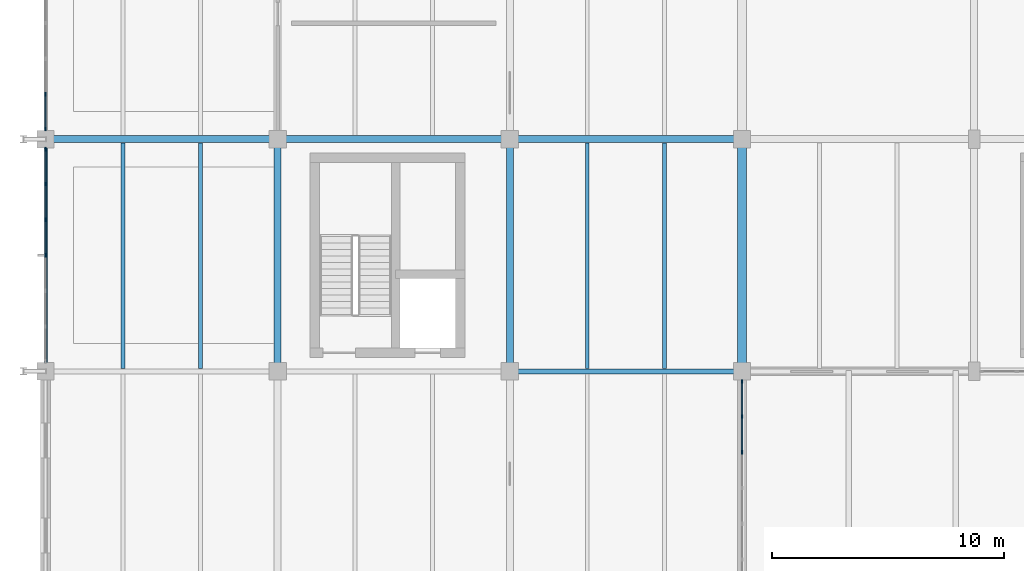
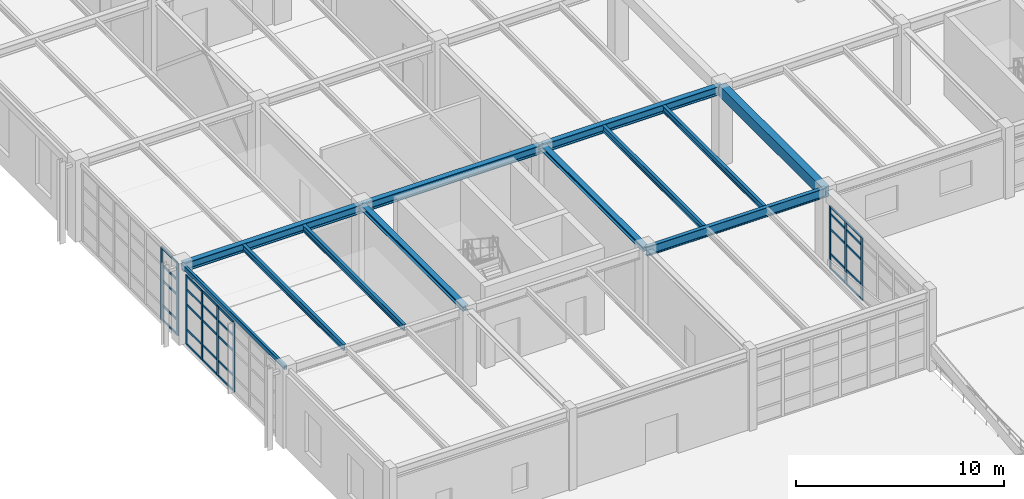
# One storey, part 27 of 139: 39 members, 12 beams, 3 elements without a shape of their own.
"""IFC4 building model written with IfcOpenShell, lengths in metres."""

from ifc_helpers import new_model, si_unit, direction, frame, origin, origin_2d, place, context, subcontext, project, spatial, rectangle, hollow_rectangle, i_section, extrude, material, layer, layer_set, material_profile, profile_set, type_object, element, aggregate, save


model = new_model("IFC4")

# Units and contexts
model_context = context("Model", 3, precision=1e-05, world=origin(), true_north=direction((0.0, 1.0)))
body_context = subcontext(model_context, "Body", "Model", "MODEL_VIEW")
ifc_project = project(units=[si_unit("LENGTHUNIT", "METRE"), si_unit("AREAUNIT", "SQUARE_METRE"), si_unit("VOLUMEUNIT", "CUBIC_METRE"), si_unit("PLANEANGLEUNIT", "RADIAN"), si_unit("MASSUNIT", "GRAM", prefix="KILO"), si_unit("THERMODYNAMICTEMPERATUREUNIT", "KELVIN"), si_unit("POWERUNIT", "WATT")], contexts=[model_context])

# Site, building, storey
site_placement = place(None, origin())
site = spatial("IfcSite", under=ifc_project, at=site_placement, CompositionType="ELEMENT")
building_placement = place(site_placement, origin())
building = spatial("IfcBuilding", under=site, at=building_placement, Name="Korenveer Ferry Terminal", CompositionType="ELEMENT")
storey_placement = place(building_placement, frame((0.0, 0.0, 5.39990234375)))
storey = spatial("IfcBuildingStorey", under=building, at=storey_placement, Name="L01", CompositionType="ELEMENT", Elevation=5.39990234375)

# Curtain wall, members
ifc_material_1 = material(Name="Unitised bronze-and-glass curtain wall", Category="glass")
ifc_layer_1 = layer(ifc_material_1, 0.159912109375)
ifc_layer_set_1 = layer_set([ifc_layer_1], Name="Unitised bronze-and-glass curtain wall")
curtain_wall_type_1 = type_object("IfcCurtainWallType", Name="ENV-CW-58", PredefinedType="USERDEFINED", material=ifc_layer_set_1)
curtain_wall_1_placement = place(storey_placement, frame((0.0, 20.405029296875, 0.0)))
curtain_wall_1 = element("IfcCurtainWall", 1, at=curtain_wall_1_placement, inside=storey, type_object=curtain_wall_type_1, Name="Lancet curtain wall CWX-L01-X0-0-Y20-30", ObjectType="UNITISED CURTAIN WALL", PredefinedType="USERDEFINED")
ifc_material_2 = material(Name="Anodised bronze aluminium", Category="aluminium")
ifc_material_profile_1 = material_profile(ifc_material_2, rectangle(XDim=0.06005859375, YDim=0.159912109375, at=origin_2d()), Name="ALU 60x160")
ifc_profile_set_1 = profile_set([ifc_material_profile_1], Name="Anodised bronze aluminium")
member_type_1 = type_object("IfcMemberType", Name="ENV-CWM-60X160", PredefinedType="MULLION", material=ifc_profile_set_1)
member_1_placement = place(storey_placement, frame((0.0, 25.0, 0.0), z_axis=(0.0, 0.0, 1.0), x_axis=(-1.0, 0.0, 0.0)))
member_1 = element("IfcMember", 2, at=member_1_placement, type_object=member_type_1, Name="CW-58 mullion 4", PredefinedType="MULLION", context=body_context, shape_type="SweptSolid", body=[
    extrude(rectangle(XDim=0.06005859375, YDim=0.159912109375, at=origin_2d()), origin(), (0.0, 0.0, 1.0), 4.070068359375),
])
member_2_placement = place(storey_placement, frame((0.0, 26.53173828125, 0.0), z_axis=(0.0, 0.0, 1.0), x_axis=(-1.0, 0.0, 0.0)))
member_2 = element("IfcMember", 3, at=member_2_placement, type_object=member_type_1, Name="CW-58 mullion 5", PredefinedType="MULLION", context=body_context, shape_type="SweptSolid", body=[
    extrude(rectangle(XDim=0.06005859375, YDim=0.159912109375, at=origin_2d()), origin(), (0.0, 0.0, 1.0), 4.070068359375),
])
member_3_placement = place(storey_placement, frame((0.0, 28.063232421875, 0.0), z_axis=(0.0, 0.0, 1.0), x_axis=(-1.0, 0.0, 0.0)))
member_3 = element("IfcMember", 4, at=member_3_placement, type_object=member_type_1, Name="CW-58 mullion 6", PredefinedType="MULLION", context=body_context, shape_type="SweptSolid", body=[
    extrude(rectangle(XDim=0.06005859375, YDim=0.159912109375, at=origin_2d()), origin(), (0.0, 0.0, 1.0), 4.070068359375),
])
member_4_placement = place(storey_placement, frame((0.0, 29.56494140625, 0.0), z_axis=(0.0, 0.0, 1.0), x_axis=(-1.0, 0.0, 0.0)))
member_4 = element("IfcMember", 5, at=member_4_placement, type_object=member_type_1, Name="CW-58 mullion 7", PredefinedType="MULLION", context=body_context, shape_type="SweptSolid", body=[
    extrude(rectangle(XDim=0.06005859375, YDim=0.159912109375, at=origin_2d()), origin(), (0.0, 0.0, 1.0), 4.070068359375),
])

ifc_layer_2 = layer(ifc_material_1, 0.159912109375)
ifc_layer_set_2 = layer_set([ifc_layer_2], Name="Unitised bronze-and-glass curtain wall")
curtain_wall_type_2 = type_object("IfcCurtainWallType", Name="ENV-CW-59", PredefinedType="USERDEFINED", material=ifc_layer_set_2)
curtain_wall_2_placement = place(storey_placement, frame((0.0, 30.405029296875, 0.0)))
curtain_wall_2 = element("IfcCurtainWall", 6, at=curtain_wall_2_placement, inside=storey, type_object=curtain_wall_type_2, Name="Lancet curtain wall CWX-L01-X0-0-Y30-40", ObjectType="UNITISED CURTAIN WALL", PredefinedType="USERDEFINED")
member_5_placement = place(storey_placement, frame((0.0, 30.43505859375, 0.0), z_axis=(0.0, 0.0, 1.0), x_axis=(-1.0, 0.0, 0.0)))
member_5 = element("IfcMember", 7, at=member_5_placement, type_object=member_type_1, Name="CW-59 mullion 1", PredefinedType="MULLION", context=body_context, shape_type="SweptSolid", body=[
    extrude(rectangle(XDim=0.06005859375, YDim=0.159912109375, at=origin_2d()), origin(), (0.0, 0.0, 1.0), 4.27001953125),
])
member_6_placement = place(storey_placement, frame((0.0, 31.936767578125, 0.0), z_axis=(0.0, 0.0, 1.0), x_axis=(-1.0, 0.0, 0.0)))
member_6 = element("IfcMember", 8, at=member_6_placement, type_object=member_type_1, Name="CW-59 mullion 2", PredefinedType="MULLION", context=body_context, shape_type="SweptSolid", body=[
    extrude(rectangle(XDim=0.06005859375, YDim=0.159912109375, at=origin_2d()), origin(), (0.0, 0.0, 1.0), 4.27001953125),
])

ifc_layer_3 = layer(ifc_material_1, 0.159912109375)
ifc_layer_set_3 = layer_set([ifc_layer_3], Name="Unitised bronze-and-glass curtain wall")
curtain_wall_type_3 = type_object("IfcCurtainWallType", Name="ENV-CW-62", PredefinedType="USERDEFINED", material=ifc_layer_set_3)
curtain_wall_3_placement = place(storey_placement, frame((30.0, 19.594970703125, 0.0)))
curtain_wall_3 = element("IfcCurtainWall", 9, at=curtain_wall_3_placement, inside=storey, type_object=curtain_wall_type_3, Name="Lancet curtain wall CWX-L01-X30-30-Y10-20", ObjectType="UNITISED CURTAIN WALL", PredefinedType="USERDEFINED")
member_7_placement = place(storey_placement, frame((30.0, 19.56494140625, 0.0), z_axis=(0.0, 0.0, 1.0), x_axis=(1.0, 0.0, 0.0)))
member_7 = element("IfcMember", 10, at=member_7_placement, type_object=member_type_1, Name="CW-62 mullion 1", PredefinedType="MULLION", context=body_context, shape_type="SweptSolid", body=[
    extrude(rectangle(XDim=0.06005859375, YDim=0.159912109375, at=origin_2d()), origin(), (0.0, 0.0, 1.0), 3.7001953125),
])
member_8_placement = place(storey_placement, frame((30.0, 18.054931640625, 0.0), z_axis=(0.0, 0.0, 1.0), x_axis=(1.0, 0.0, 0.0)))
member_8 = element("IfcMember", 11, at=member_8_placement, type_object=member_type_1, Name="CW-62 mullion 2", PredefinedType="MULLION", context=body_context, shape_type="SweptSolid", body=[
    extrude(rectangle(XDim=0.06005859375, YDim=0.159912109375, at=origin_2d()), origin(), (0.0, 0.0, 1.0), 3.7001953125),
])
member_9_placement = place(storey_placement, frame((30.0, 16.514892578125, 0.0), z_axis=(0.0, 0.0, 1.0), x_axis=(1.0, 0.0, 0.0)))
member_9 = element("IfcMember", 12, at=member_9_placement, type_object=member_type_1, Name="CW-62 mullion 3", PredefinedType="MULLION", context=body_context, shape_type="SweptSolid", body=[
    extrude(rectangle(XDim=0.06005859375, YDim=0.159912109375, at=origin_2d()), origin(), (0.0, 0.0, 1.0), 3.7001953125),
])

# Member
ifc_material_profile_2 = material_profile(ifc_material_2, rectangle(XDim=0.06005859375, YDim=0.1201171875, at=origin_2d()), Name="ALU 60x120")
ifc_profile_set_2 = profile_set([ifc_material_profile_2], Name="Anodised bronze aluminium")
member_type_2 = type_object("IfcMemberType", Name="ENV-CWT-60X120", PredefinedType="USERDEFINED", material=ifc_profile_set_2)
member_10_placement = place(storey_placement, frame((0.0, 25.030029296875, 0.030029296875), z_axis=(0.0, 1.0, 0.0), x_axis=(-1.0, 0.0, 0.0)))
member_10 = element("IfcMember", 13, at=member_10_placement, type_object=member_type_2, Name="CW-58 transom 4.1", ObjectType="TRANSOM", PredefinedType="USERDEFINED", context=body_context, shape_type="SweptSolid", body=[
    extrude(rectangle(XDim=0.06005859375, YDim=0.1201171875, at=origin_2d()), origin(), (0.0, 0.0, 1.0), 1.4716796875),
])

member_11_placement = place(storey_placement, frame((0.0, 25.030029296875, 0.900146484375), z_axis=(0.0, 1.0, 0.0), x_axis=(-1.0, 0.0, 0.0)))
member_11 = element("IfcMember", 14, at=member_11_placement, type_object=member_type_2, Name="CW-58 transom 4.2", ObjectType="TRANSOM", PredefinedType="USERDEFINED", context=body_context, shape_type="SweptSolid", body=[
    extrude(rectangle(XDim=0.06005859375, YDim=0.1201171875, at=origin_2d()), origin(), (0.0, 0.0, 1.0), 1.4716796875),
])

member_12_placement = place(storey_placement, frame((0.0, 25.030029296875, 2.35009765625), z_axis=(0.0, 1.0, 0.0), x_axis=(-1.0, 0.0, 0.0)))
member_12 = element("IfcMember", 15, at=member_12_placement, type_object=member_type_2, Name="CW-58 transom 4.3", ObjectType="TRANSOM", PredefinedType="USERDEFINED", context=body_context, shape_type="SweptSolid", body=[
    extrude(rectangle(XDim=0.06005859375, YDim=0.1201171875, at=origin_2d()), origin(), (0.0, 0.0, 1.0), 1.4716796875),
])

member_13_placement = place(storey_placement, frame((0.0, 25.030029296875, 3.25), z_axis=(0.0, 1.0, 0.0), x_axis=(-1.0, 0.0, 0.0)))
member_13 = element("IfcMember", 16, at=member_13_placement, type_object=member_type_2, Name="CW-58 transom 4.4", ObjectType="TRANSOM", PredefinedType="USERDEFINED", context=body_context, shape_type="SweptSolid", body=[
    extrude(rectangle(XDim=0.06005859375, YDim=0.1201171875, at=origin_2d()), origin(), (0.0, 0.0, 1.0), 1.4716796875),
])

member_14_placement = place(storey_placement, frame((0.0, 25.030029296875, 4.0400390625), z_axis=(0.0, 1.0, 0.0), x_axis=(-1.0, 0.0, 0.0)))
member_14 = element("IfcMember", 17, at=member_14_placement, type_object=member_type_2, Name="CW-58 transom 4.5", ObjectType="TRANSOM", PredefinedType="USERDEFINED", context=body_context, shape_type="SweptSolid", body=[
    extrude(rectangle(XDim=0.06005859375, YDim=0.1201171875, at=origin_2d()), origin(), (0.0, 0.0, 1.0), 1.4716796875),
])

member_15_placement = place(storey_placement, frame((0.0, 26.561767578125, 0.030029296875), z_axis=(0.0, 1.0, 0.0), x_axis=(-1.0, 0.0, 0.0)))
member_15 = element("IfcMember", 18, at=member_15_placement, type_object=member_type_2, Name="CW-58 transom 5.1", ObjectType="TRANSOM", PredefinedType="USERDEFINED", context=body_context, shape_type="SweptSolid", body=[
    extrude(rectangle(XDim=0.06005859375, YDim=0.1201171875, at=origin_2d()), origin(), (0.0, 0.0, 1.0), 1.4716796875),
])

member_16_placement = place(storey_placement, frame((0.0, 26.561767578125, 0.900146484375), z_axis=(0.0, 1.0, 0.0), x_axis=(-1.0, 0.0, 0.0)))
member_16 = element("IfcMember", 19, at=member_16_placement, type_object=member_type_2, Name="CW-58 transom 5.2", ObjectType="TRANSOM", PredefinedType="USERDEFINED", context=body_context, shape_type="SweptSolid", body=[
    extrude(rectangle(XDim=0.06005859375, YDim=0.1201171875, at=origin_2d()), origin(), (0.0, 0.0, 1.0), 1.4716796875),
])

member_17_placement = place(storey_placement, frame((0.0, 26.561767578125, 2.35009765625), z_axis=(0.0, 1.0, 0.0), x_axis=(-1.0, 0.0, 0.0)))
member_17 = element("IfcMember", 20, at=member_17_placement, type_object=member_type_2, Name="CW-58 transom 5.3", ObjectType="TRANSOM", PredefinedType="USERDEFINED", context=body_context, shape_type="SweptSolid", body=[
    extrude(rectangle(XDim=0.06005859375, YDim=0.1201171875, at=origin_2d()), origin(), (0.0, 0.0, 1.0), 1.4716796875),
])

member_18_placement = place(storey_placement, frame((0.0, 26.561767578125, 3.25), z_axis=(0.0, 1.0, 0.0), x_axis=(-1.0, 0.0, 0.0)))
member_18 = element("IfcMember", 21, at=member_18_placement, type_object=member_type_2, Name="CW-58 transom 5.4", ObjectType="TRANSOM", PredefinedType="USERDEFINED", context=body_context, shape_type="SweptSolid", body=[
    extrude(rectangle(XDim=0.06005859375, YDim=0.1201171875, at=origin_2d()), origin(), (0.0, 0.0, 1.0), 1.4716796875),
])

member_19_placement = place(storey_placement, frame((0.0, 26.561767578125, 4.0400390625), z_axis=(0.0, 1.0, 0.0), x_axis=(-1.0, 0.0, 0.0)))
member_19 = element("IfcMember", 22, at=member_19_placement, type_object=member_type_2, Name="CW-58 transom 5.5", ObjectType="TRANSOM", PredefinedType="USERDEFINED", context=body_context, shape_type="SweptSolid", body=[
    extrude(rectangle(XDim=0.06005859375, YDim=0.1201171875, at=origin_2d()), origin(), (0.0, 0.0, 1.0), 1.4716796875),
])

member_20_placement = place(storey_placement, frame((0.0, 28.09326171875, 0.030029296875), z_axis=(0.0, 1.0, 0.0), x_axis=(-1.0, 0.0, 0.0)))
member_20 = element("IfcMember", 23, at=member_20_placement, type_object=member_type_2, Name="CW-58 transom 6.1", ObjectType="TRANSOM", PredefinedType="USERDEFINED", context=body_context, shape_type="SweptSolid", body=[
    extrude(rectangle(XDim=0.06005859375, YDim=0.1201171875, at=origin_2d()), origin(), (0.0, 0.0, 1.0), 1.441650390625),
])

member_21_placement = place(storey_placement, frame((0.0, 28.09326171875, 0.900146484375), z_axis=(0.0, 1.0, 0.0), x_axis=(-1.0, 0.0, 0.0)))
member_21 = element("IfcMember", 24, at=member_21_placement, type_object=member_type_2, Name="CW-58 transom 6.2", ObjectType="TRANSOM", PredefinedType="USERDEFINED", context=body_context, shape_type="SweptSolid", body=[
    extrude(rectangle(XDim=0.06005859375, YDim=0.1201171875, at=origin_2d()), origin(), (0.0, 0.0, 1.0), 1.441650390625),
])

member_22_placement = place(storey_placement, frame((0.0, 28.09326171875, 2.35009765625), z_axis=(0.0, 1.0, 0.0), x_axis=(-1.0, 0.0, 0.0)))
member_22 = element("IfcMember", 25, at=member_22_placement, type_object=member_type_2, Name="CW-58 transom 6.3", ObjectType="TRANSOM", PredefinedType="USERDEFINED", context=body_context, shape_type="SweptSolid", body=[
    extrude(rectangle(XDim=0.06005859375, YDim=0.1201171875, at=origin_2d()), origin(), (0.0, 0.0, 1.0), 1.441650390625),
])

member_23_placement = place(storey_placement, frame((0.0, 28.09326171875, 3.25), z_axis=(0.0, 1.0, 0.0), x_axis=(-1.0, 0.0, 0.0)))
member_23 = element("IfcMember", 26, at=member_23_placement, type_object=member_type_2, Name="CW-58 transom 6.4", ObjectType="TRANSOM", PredefinedType="USERDEFINED", context=body_context, shape_type="SweptSolid", body=[
    extrude(rectangle(XDim=0.06005859375, YDim=0.1201171875, at=origin_2d()), origin(), (0.0, 0.0, 1.0), 1.441650390625),
])

member_24_placement = place(storey_placement, frame((0.0, 28.09326171875, 4.0400390625), z_axis=(0.0, 1.0, 0.0), x_axis=(-1.0, 0.0, 0.0)))
member_24 = element("IfcMember", 27, at=member_24_placement, type_object=member_type_2, Name="CW-58 transom 6.5", ObjectType="TRANSOM", PredefinedType="USERDEFINED", context=body_context, shape_type="SweptSolid", body=[
    extrude(rectangle(XDim=0.06005859375, YDim=0.1201171875, at=origin_2d()), origin(), (0.0, 0.0, 1.0), 1.441650390625),
])

aggregate(curtain_wall_1, [member_1, member_2, member_3, member_4, member_10, member_11, member_12, member_13, member_14, member_15, member_16, member_17, member_18, member_19, member_20, member_21, member_22, member_23, member_24])

member_25_placement = place(storey_placement, frame((0.0, 30.465087890625, 0.030029296875), z_axis=(0.0, 1.0, 0.0), x_axis=(-1.0, 0.0, 0.0)))
member_25 = element("IfcMember", 28, at=member_25_placement, type_object=member_type_2, Name="CW-59 transom 1.1", ObjectType="TRANSOM", PredefinedType="USERDEFINED", context=body_context, shape_type="SweptSolid", body=[
    extrude(rectangle(XDim=0.06005859375, YDim=0.1201171875, at=origin_2d()), origin(), (0.0, 0.0, 1.0), 1.441650390625),
])

member_26_placement = place(storey_placement, frame((0.0, 30.465087890625, 0.900146484375), z_axis=(0.0, 1.0, 0.0), x_axis=(-1.0, 0.0, 0.0)))
member_26 = element("IfcMember", 29, at=member_26_placement, type_object=member_type_2, Name="CW-59 transom 1.2", ObjectType="TRANSOM", PredefinedType="USERDEFINED", context=body_context, shape_type="SweptSolid", body=[
    extrude(rectangle(XDim=0.06005859375, YDim=0.1201171875, at=origin_2d()), origin(), (0.0, 0.0, 1.0), 1.441650390625),
])

member_27_placement = place(storey_placement, frame((0.0, 30.465087890625, 2.35009765625), z_axis=(0.0, 1.0, 0.0), x_axis=(-1.0, 0.0, 0.0)))
member_27 = element("IfcMember", 30, at=member_27_placement, type_object=member_type_2, Name="CW-59 transom 1.3", ObjectType="TRANSOM", PredefinedType="USERDEFINED", context=body_context, shape_type="SweptSolid", body=[
    extrude(rectangle(XDim=0.06005859375, YDim=0.1201171875, at=origin_2d()), origin(), (0.0, 0.0, 1.0), 1.441650390625),
])

member_28_placement = place(storey_placement, frame((0.0, 30.465087890625, 3.25), z_axis=(0.0, 1.0, 0.0), x_axis=(-1.0, 0.0, 0.0)))
member_28 = element("IfcMember", 31, at=member_28_placement, type_object=member_type_2, Name="CW-59 transom 1.4", ObjectType="TRANSOM", PredefinedType="USERDEFINED", context=body_context, shape_type="SweptSolid", body=[
    extrude(rectangle(XDim=0.06005859375, YDim=0.1201171875, at=origin_2d()), origin(), (0.0, 0.0, 1.0), 1.441650390625),
])

member_29_placement = place(storey_placement, frame((0.0, 30.465087890625, 4.239990234375), z_axis=(0.0, 1.0, 0.0), x_axis=(-1.0, 0.0, 0.0)))
member_29 = element("IfcMember", 32, at=member_29_placement, type_object=member_type_2, Name="CW-59 transom 1.5", ObjectType="TRANSOM", PredefinedType="USERDEFINED", context=body_context, shape_type="SweptSolid", body=[
    extrude(rectangle(XDim=0.06005859375, YDim=0.1201171875, at=origin_2d()), origin(), (0.0, 0.0, 1.0), 1.441650390625),
])

aggregate(curtain_wall_2, [member_5, member_6, member_25, member_26, member_27, member_28, member_29])

member_30_placement = place(storey_placement, frame((30.0, 19.534912109375, 0.030029296875), z_axis=(0.0, -1.0, 0.0), x_axis=(1.0, 0.0, 0.0)))
member_30 = element("IfcMember", 33, at=member_30_placement, type_object=member_type_2, Name="CW-62 transom 1.1", ObjectType="TRANSOM", PredefinedType="USERDEFINED", context=body_context, shape_type="SweptSolid", body=[
    extrude(rectangle(XDim=0.06005859375, YDim=0.1201171875, at=origin_2d()), origin(), (0.0, 0.0, 1.0), 1.449951171875),
])

member_31_placement = place(storey_placement, frame((30.0, 19.534912109375, 0.900146484375), z_axis=(0.0, -1.0, 0.0), x_axis=(1.0, 0.0, 0.0)))
member_31 = element("IfcMember", 34, at=member_31_placement, type_object=member_type_2, Name="CW-62 transom 1.2", ObjectType="TRANSOM", PredefinedType="USERDEFINED", context=body_context, shape_type="SweptSolid", body=[
    extrude(rectangle(XDim=0.06005859375, YDim=0.1201171875, at=origin_2d()), origin(), (0.0, 0.0, 1.0), 1.449951171875),
])

member_32_placement = place(storey_placement, frame((30.0, 19.534912109375, 2.35009765625), z_axis=(0.0, -1.0, 0.0), x_axis=(1.0, 0.0, 0.0)))
member_32 = element("IfcMember", 35, at=member_32_placement, type_object=member_type_2, Name="CW-62 transom 1.3", ObjectType="TRANSOM", PredefinedType="USERDEFINED", context=body_context, shape_type="SweptSolid", body=[
    extrude(rectangle(XDim=0.06005859375, YDim=0.1201171875, at=origin_2d()), origin(), (0.0, 0.0, 1.0), 1.449951171875),
])

member_33_placement = place(storey_placement, frame((30.0, 19.534912109375, 3.25), z_axis=(0.0, -1.0, 0.0), x_axis=(1.0, 0.0, 0.0)))
member_33 = element("IfcMember", 36, at=member_33_placement, type_object=member_type_2, Name="CW-62 transom 1.4", ObjectType="TRANSOM", PredefinedType="USERDEFINED", context=body_context, shape_type="SweptSolid", body=[
    extrude(rectangle(XDim=0.06005859375, YDim=0.1201171875, at=origin_2d()), origin(), (0.0, 0.0, 1.0), 1.449951171875),
])

member_34_placement = place(storey_placement, frame((30.0, 19.534912109375, 3.670166015625), z_axis=(0.0, -1.0, 0.0), x_axis=(1.0, 0.0, 0.0)))
member_34 = element("IfcMember", 37, at=member_34_placement, type_object=member_type_2, Name="CW-62 transom 1.5", ObjectType="TRANSOM", PredefinedType="USERDEFINED", context=body_context, shape_type="SweptSolid", body=[
    extrude(rectangle(XDim=0.06005859375, YDim=0.1201171875, at=origin_2d()), origin(), (0.0, 0.0, 1.0), 1.449951171875),
])

member_35_placement = place(storey_placement, frame((30.0, 18.02490234375, 0.030029296875), z_axis=(0.0, -1.0, 0.0), x_axis=(1.0, 0.0, 0.0)))
member_35 = element("IfcMember", 38, at=member_35_placement, type_object=member_type_2, Name="CW-62 transom 2.1", ObjectType="TRANSOM", PredefinedType="USERDEFINED", context=body_context, shape_type="SweptSolid", body=[
    extrude(rectangle(XDim=0.06005859375, YDim=0.1201171875, at=origin_2d()), origin(), (0.0, 0.0, 1.0), 1.47998046875),
])

member_36_placement = place(storey_placement, frame((30.0, 18.02490234375, 0.900146484375), z_axis=(0.0, -1.0, 0.0), x_axis=(1.0, 0.0, 0.0)))
member_36 = element("IfcMember", 39, at=member_36_placement, type_object=member_type_2, Name="CW-62 transom 2.2", ObjectType="TRANSOM", PredefinedType="USERDEFINED", context=body_context, shape_type="SweptSolid", body=[
    extrude(rectangle(XDim=0.06005859375, YDim=0.1201171875, at=origin_2d()), origin(), (0.0, 0.0, 1.0), 1.47998046875),
])

member_37_placement = place(storey_placement, frame((30.0, 18.02490234375, 2.35009765625), z_axis=(0.0, -1.0, 0.0), x_axis=(1.0, 0.0, 0.0)))
member_37 = element("IfcMember", 40, at=member_37_placement, type_object=member_type_2, Name="CW-62 transom 2.3", ObjectType="TRANSOM", PredefinedType="USERDEFINED", context=body_context, shape_type="SweptSolid", body=[
    extrude(rectangle(XDim=0.06005859375, YDim=0.1201171875, at=origin_2d()), origin(), (0.0, 0.0, 1.0), 1.47998046875),
])

member_38_placement = place(storey_placement, frame((30.0, 18.02490234375, 3.25), z_axis=(0.0, -1.0, 0.0), x_axis=(1.0, 0.0, 0.0)))
member_38 = element("IfcMember", 41, at=member_38_placement, type_object=member_type_2, Name="CW-62 transom 2.4", ObjectType="TRANSOM", PredefinedType="USERDEFINED", context=body_context, shape_type="SweptSolid", body=[
    extrude(rectangle(XDim=0.06005859375, YDim=0.1201171875, at=origin_2d()), origin(), (0.0, 0.0, 1.0), 1.47998046875),
])

member_39_placement = place(storey_placement, frame((30.0, 18.02490234375, 3.670166015625), z_axis=(0.0, -1.0, 0.0), x_axis=(1.0, 0.0, 0.0)))
member_39 = element("IfcMember", 42, at=member_39_placement, type_object=member_type_2, Name="CW-62 transom 2.5", ObjectType="TRANSOM", PredefinedType="USERDEFINED", context=body_context, shape_type="SweptSolid", body=[
    extrude(rectangle(XDim=0.06005859375, YDim=0.1201171875, at=origin_2d()), origin(), (0.0, 0.0, 1.0), 1.47998046875),
])

aggregate(curtain_wall_3, [member_7, member_8, member_9, member_30, member_31, member_32, member_33, member_34, member_35, member_36, member_37, member_38, member_39])

# Beams
ifc_material_3 = material(Name="Steel S355", Category="steel")
ifc_material_profile_3 = material_profile(ifc_material_3, i_section(OverallWidth=0.300048828125, OverallDepth=0.2900390625, WebThickness=0.008544921875, FlangeThickness=0.013916015625, FilletRadius=0.027099609375, at=origin_2d()), Name="HEA 300")
ifc_profile_set_3 = profile_set([ifc_material_profile_3], Name="Steel S355")
beam_type_1 = type_object("IfcBeamType", Name="STR-BM-HEA300", PredefinedType="BEAM", material=ifc_profile_set_3)
for number, where, z_axis, x_axis, name in (
    (43, (10.0, 20.02001953125, 4.405029296875), (0.0, 1.0, 0.0), (-1.0, 0.0, 0.0), "Primary Y girder BMY-L02-X10-Y20-30"),
    (44, (20.0, 20.02001953125, 4.405029296875), (0.0, 1.0, 0.0), (-1.0, 0.0, 0.0), "Primary Y girder BMY-L02-X20-Y20-30"),
):
    element("IfcBeam", number, at=place(storey_placement, frame(where, z_axis=z_axis, x_axis=x_axis)), inside=storey, type_object=beam_type_1, Name=name, PredefinedType="BEAM", context=body_context, shape_type="SweptSolid", body=[
        extrude(i_section(OverallWidth=0.300048828125, OverallDepth=0.2900390625, WebThickness=0.008544921875, FlangeThickness=0.013916015625, FilletRadius=0.027099609375, at=origin_2d()), origin(), (0.0, 0.0, 1.0), 9.9599609375),
    ])
ifc_material_profile_4 = material_profile(ifc_material_3, i_section(OverallWidth=0.300048828125, OverallDepth=0.5, WebThickness=0.014404296875, FlangeThickness=0.028076171875, FilletRadius=0.027099609375, at=origin_2d()), Name="HEB 500")
ifc_profile_set_4 = profile_set([ifc_material_profile_4], Name="Steel S355")
beam_type_2 = type_object("IfcBeamType", Name="STR-BM-HEB500", PredefinedType="BEAM", material=ifc_profile_set_4)
for number, where, z_axis, x_axis, name in (
    (45, (0.02001953125, 30.0, 4.300048828125), (1.0, 0.0, 0.0), (0.0, 1.0, 0.0), "Primary X girder BMX-L02-X0-10-Y30"),
    (46, (10.02001953125, 30.0, 4.300048828125), (1.0, 0.0, 0.0), (0.0, 1.0, 0.0), "Primary X girder BMX-L02-X10-20-Y30"),
    (47, (20.02001953125, 30.0, 4.300048828125), (1.0, 0.0, 0.0), (0.0, 1.0, 0.0), "Primary X girder BMX-L02-X20-30-Y30"),
):
    element("IfcBeam", number, at=place(storey_placement, frame(where, z_axis=z_axis, x_axis=x_axis)), inside=storey, type_object=beam_type_2, Name=name, PredefinedType="BEAM", context=body_context, shape_type="SweptSolid", body=[
        extrude(i_section(OverallWidth=0.300048828125, OverallDepth=0.5, WebThickness=0.014404296875, FlangeThickness=0.028076171875, FilletRadius=0.027099609375, at=origin_2d()), origin(), (0.0, 0.0, 1.0), 9.9599609375),
    ])
ifc_material_profile_5 = material_profile(ifc_material_3, i_section(OverallWidth=0.2099609375, OverallDepth=0.550048828125, WebThickness=0.010986328125, FlangeThickness=0.01708984375, FilletRadius=0.02392578125, at=origin_2d()), Name="IPE 550")
ifc_profile_set_5 = profile_set([ifc_material_profile_5], Name="Steel S355")
beam_type_3 = type_object("IfcBeamType", Name="STR-BM-IPE550", PredefinedType="BEAM", material=ifc_profile_set_5)
beam_1_placement = place(storey_placement, frame((20.02001953125, 20.0, 4.275146484375), z_axis=(1.0, 0.0, 0.0), x_axis=(0.0, 1.0, 0.0)))
element("IfcBeam", 48, at=beam_1_placement, inside=storey, type_object=beam_type_3, Name="Primary X girder BMX-L02-X20-30-Y20", PredefinedType="BEAM", context=body_context, shape_type="SweptSolid", body=[
    extrude(i_section(OverallWidth=0.2099609375, OverallDepth=0.550048828125, WebThickness=0.010986328125, FlangeThickness=0.01708984375, FilletRadius=0.02392578125, at=origin_2d()), origin(), (0.0, 0.0, 1.0), 9.9599609375),
])
ifc_material_4 = material(Name="Concrete C40/50", Category="concrete")
ifc_material_profile_6 = material_profile(ifc_material_4, rectangle(XDim=0.39990234375, YDim=0.64990234375, at=origin_2d()), Name="RC 400x650")
ifc_profile_set_6 = profile_set([ifc_material_profile_6], Name="Concrete C40/50")
beam_type_4 = type_object("IfcBeamType", Name="STR-BM-RC400X650", PredefinedType="BEAM", material=ifc_profile_set_6)
beam_2_placement = place(storey_placement, frame((30.0, 20.02001953125, 4.22509765625), z_axis=(0.0, 1.0, 0.0), x_axis=(-1.0, 0.0, 0.0)))
element("IfcBeam", 49, at=beam_2_placement, inside=storey, type_object=beam_type_4, Name="Primary Y girder BMY-L02-X30-Y20-30", PredefinedType="BEAM", context=body_context, shape_type="SweptSolid", body=[
    extrude(rectangle(XDim=0.39990234375, YDim=0.64990234375, at=origin_2d()), origin(), (0.0, 0.0, 1.0), 9.9599609375),
])
ifc_material_profile_7 = material_profile(ifc_material_3, i_section(OverallWidth=0.169921875, OverallDepth=0.360107421875, WebThickness=0.008056640625, FlangeThickness=0.0126953125, FilletRadius=0.01806640625, at=origin_2d()), Name="IPE 360")
ifc_profile_set_7 = profile_set([ifc_material_profile_7], Name="Steel S355")
beam_type_5 = type_object("IfcBeamType", Name="STR-JST-IPE360", PredefinedType="JOIST", material=ifc_profile_set_7)
for number, where, z_axis, x_axis, name in (
    (50, (3.333251953125, 20.114990234375, 4.3701171875), (0.0, 1.0, 0.0), (-1.0, 0.0, 0.0), "Secondary composite joist JST-L02-X33-Y20-30"),
    (51, (6.666748046875, 20.114990234375, 4.3701171875), (0.0, 1.0, 0.0), (-1.0, 0.0, 0.0), "Secondary composite joist JST-L02-X67-Y20-30"),
    (52, (23.333251953125, 20.114990234375, 4.3701171875), (0.0, 1.0, 0.0), (-1.0, 0.0, 0.0), "Secondary composite joist JST-L02-X233-Y20-30"),
    (53, (26.666748046875, 20.114990234375, 4.3701171875), (0.0, 1.0, 0.0), (-1.0, 0.0, 0.0), "Secondary composite joist JST-L02-X267-Y20-30"),
):
    element("IfcBeam", number, at=place(storey_placement, frame(where, z_axis=z_axis, x_axis=x_axis)), inside=storey, type_object=beam_type_5, Name=name, PredefinedType="JOIST", context=body_context, shape_type="SweptSolid", body=[
        extrude(i_section(OverallWidth=0.169921875, OverallDepth=0.360107421875, WebThickness=0.008056640625, FlangeThickness=0.0126953125, FilletRadius=0.01806640625, at=origin_2d()), origin(), (0.0, 0.0, 1.0), 9.72509765625),
    ])
ifc_material_profile_8 = material_profile(ifc_material_3, hollow_rectangle(XDim=0.14990234375, YDim=0.25, WallThickness=0.010009765625, InnerFilletRadius=0.010009765625, OuterFilletRadius=0.014892578125, at=origin_2d()), Name="RHS 250x150x10")
ifc_profile_set_8 = profile_set([ifc_material_profile_8], Name="Steel S355")
beam_type_6 = type_object("IfcBeamType", Name="STR-SPD-RHS250", PredefinedType="SPANDREL", material=ifc_profile_set_8)
beam_3_placement = place(storey_placement, frame((0.0, 20.02001953125, 4.425048828125), z_axis=(0.0, 1.0, 0.0), x_axis=(-1.0, 0.0, 0.0)))
element("IfcBeam", 54, at=beam_3_placement, inside=storey, type_object=beam_type_6, Name="Primary Y girder BMY-L02-X0-Y20-30", PredefinedType="SPANDREL", context=body_context, shape_type="SweptSolid", body=[
    extrude(hollow_rectangle(XDim=0.14990234375, YDim=0.25, WallThickness=0.010009765625, InnerFilletRadius=0.010009765625, OuterFilletRadius=0.014892578125, at=origin_2d()), origin(), (0.0, 0.0, 1.0), 9.9599609375),
])

save(model, "model.ifc")
